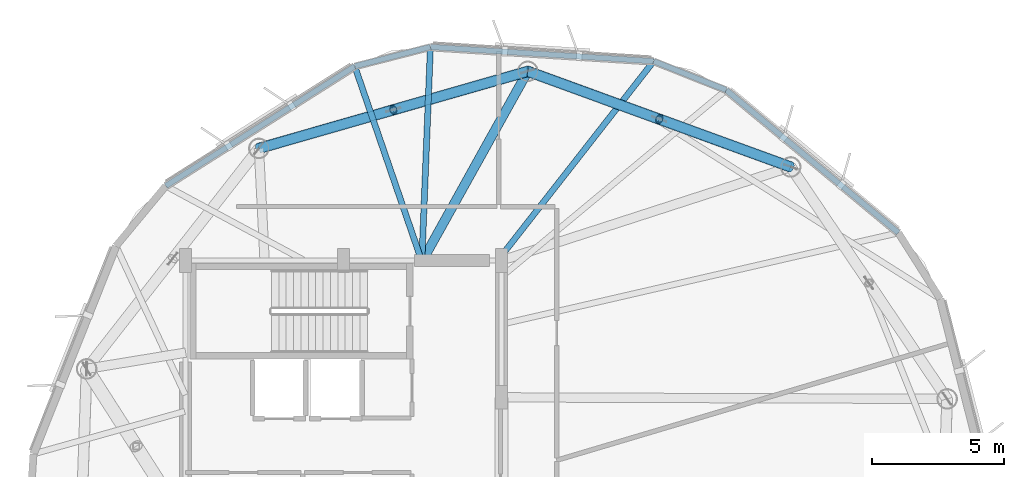
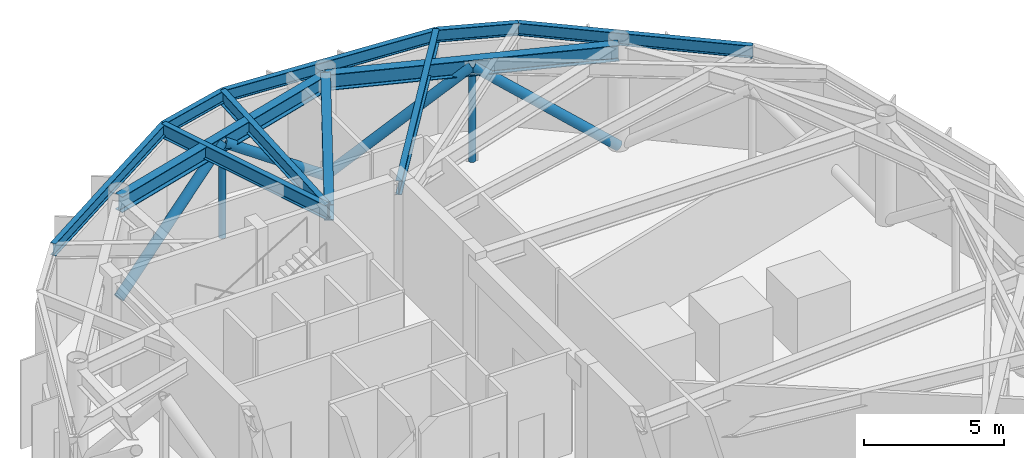
# One storey, part 5 of 14: 11 beams, 6 members.
"""IFC4 building model written with IfcOpenShell, lengths in metres."""

from ifc_helpers import new_model, si_unit, direction, frame, origin, origin_2d, place, context, subcontext, project, spatial, hollow_circle, i_section, extrude, material, material_profile, profile_set, type_object, element, save


model = new_model("IFC4")

# Units and contexts
model_context = context("Model", 3, precision=1e-05, world=origin(), true_north=direction((0.0, 1.0)))
body_context = subcontext(model_context, "Body", "Model", "MODEL_VIEW")
ifc_project = project(units=[si_unit("LENGTHUNIT", "METRE"), si_unit("AREAUNIT", "SQUARE_METRE"), si_unit("VOLUMEUNIT", "CUBIC_METRE"), si_unit("PLANEANGLEUNIT", "RADIAN"), si_unit("MASSUNIT", "GRAM", prefix="KILO")], contexts=[model_context])

# Site, building, storey
site_placement = place(None, origin())
site = spatial("IfcSite", under=ifc_project, at=site_placement, CompositionType="ELEMENT")
building_placement = place(site_placement, origin())
building = spatial("IfcBuilding", under=site, at=building_placement, Name="Soratama Intermodal Tower", CompositionType="ELEMENT")
storey_placement = place(building_placement, frame((0.0, 0.0, 283.75)))
storey = spatial("IfcBuildingStorey", under=building, at=storey_placement, Name="L72", CompositionType="ELEMENT", Elevation=283.75)

# Beams
ifc_material_1 = material(Name="Structural steel ASTM A992 Grade 50", Category="steel")
ifc_material_profile_1 = material_profile(ifc_material_1, i_section(OverallWidth=0.35498046875, OverallDepth=0.695068359375, WebThickness=0.015380859375, FlangeThickness=0.02490234375, FilletRadius=0.01611328125, at=origin_2d()), Name="W27X146")
ifc_profile_set_1 = profile_set([ifc_material_profile_1], Name="Structural steel ASTM A992 Grade 50")
beam_type_1 = type_object("IfcBeamType", Name="BM-RING-W27X146", PredefinedType="BEAM", material=ifc_profile_set_1)
for number, where, z_axis, x_axis, name in (
    (1, (55.589111328125, 38.553955078125, 4.152587890625), (-0.939684073866, 0.342043624883, 0.0), (-0.342043624883, -0.939684073866, 0.0), "BM-L72-RING-02"),
    (2, (45.60009765625, 42.18994140625, 4.152587890625), (-0.961238292127, -0.275718961532, 0.0), (0.275718961532, -0.961238292127, 0.0), "BM-L72-RING-03"),
):
    element("IfcBeam", number, at=place(storey_placement, frame(where, z_axis=z_axis, x_axis=x_axis)), inside=storey, type_object=beam_type_1, Name=name, PredefinedType="BEAM", context=body_context, shape_type="SweptSolid", body=[
        extrude(i_section(OverallWidth=0.35498046875, OverallDepth=0.695068359375, WebThickness=0.015380859375, FlangeThickness=0.02490234375, FilletRadius=0.01611328125, at=origin_2d()), origin(), (0.0, 0.0, 1.0), 10.630126953125),
    ])
beam_1_placement = place(storey_placement, frame((41.60009765625, 35.0, 4.152587890625), z_axis=(0.486161842523, 0.873868790423, 0.0), x_axis=(-0.873868790423, 0.486161842523, 0.0)))
element("IfcBeam", 3, at=beam_1_placement, inside=storey, type_object=beam_type_1, Name="BM-L72-RAD-03", PredefinedType="BEAM", context=body_context, shape_type="SweptSolid", body=[
    extrude(i_section(OverallWidth=0.35498046875, OverallDepth=0.695068359375, WebThickness=0.015380859375, FlangeThickness=0.02490234375, FilletRadius=0.01611328125, at=origin_2d()), origin(), (0.0, 0.0, 1.0), 8.227783203125),
])
ifc_material_2 = material(Name="Structural steel ASTM A992 Grade 50", Category="steel")
ifc_material_profile_2 = material_profile(ifc_material_2, i_section(OverallWidth=0.2099609375, OverallDepth=0.537109375, WebThickness=0.010986328125, FlangeThickness=0.017333984375, FilletRadius=0.012939453125, at=origin_2d()), Name="W21X68")
ifc_profile_set_2 = profile_set([ifc_material_profile_2], Name="Structural steel ASTM A992 Grade 50")
beam_type_2 = type_object("IfcBeamType", Name="BM-SPN-W21X68", PredefinedType="SPANDREL", material=ifc_profile_set_2)
beam_2_placement = place(storey_placement, frame((50.383056640625, 42.572021484375, 4.2314453125), z_axis=(-0.997957918563, 0.063874821161, 0.0), x_axis=(-0.063874821161, -0.997957918563, 0.0)))
element("IfcBeam", 4, at=beam_2_placement, inside=storey, type_object=beam_type_2, Name="BS-L72-F01", PredefinedType="SPANDREL", context=body_context, shape_type="SweptSolid", body=[
    extrude(i_section(OverallWidth=0.2099609375, OverallDepth=0.537109375, WebThickness=0.010986328125, FlangeThickness=0.017333984375, FilletRadius=0.012939453125, at=origin_2d()), origin(), (0.0, 0.0, 1.0), 8.50048828125),
])
beam_3_placement = place(storey_placement, frame((41.89990234375, 43.114990234375, 4.2314453125), z_axis=(-0.968811434978, -0.247799119157, 0.0), x_axis=(0.247799119157, -0.968811434978, 0.0)))
element("IfcBeam", 5, at=beam_3_placement, inside=storey, type_object=beam_type_2, Name="BS-L72-CRN01", PredefinedType="SPANDREL", context=body_context, shape_type="SweptSolid", body=[
    extrude(i_section(OverallWidth=0.2099609375, OverallDepth=0.537109375, WebThickness=0.010986328125, FlangeThickness=0.017333984375, FilletRadius=0.012939453125, at=origin_2d()), origin(), (0.0, 0.0, 1.0), 2.966552734375),
])
beam_4_placement = place(storey_placement, frame((39.02587890625, 42.3798828125, 4.2314453125), z_axis=(-0.84487403719, -0.534965289791, 0.0), x_axis=(0.534965289791, -0.84487403719, 0.0)))
element("IfcBeam", 6, at=beam_4_placement, inside=storey, type_object=beam_type_2, Name="BS-L72-F02", PredefinedType="SPANDREL", context=body_context, shape_type="SweptSolid", body=[
    extrude(i_section(OverallWidth=0.2099609375, OverallDepth=0.537109375, WebThickness=0.010986328125, FlangeThickness=0.017333984375, FilletRadius=0.012939453125, at=origin_2d()), origin(), (0.0, 0.0, 1.0), 8.499267578125),
])
beam_5_placement = place(storey_placement, frame((59.68310546875, 36.052001953125, 4.2314453125), z_axis=(-0.769817509883, 0.638264053099, 0.0), x_axis=(-0.638264053099, -0.769817509883, 0.0)))
element("IfcBeam", 7, at=beam_5_placement, inside=storey, type_object=beam_type_2, Name="BS-L72-F10", PredefinedType="SPANDREL", context=body_context, shape_type="SweptSolid", body=[
    extrude(i_section(OverallWidth=0.2099609375, OverallDepth=0.537109375, WebThickness=0.010986328125, FlangeThickness=0.017333984375, FilletRadius=0.012939453125, at=origin_2d()), origin(), (0.0, 0.0, 1.0), 8.499755859375),
])
beam_6_placement = place(storey_placement, frame((53.139892578125, 41.47705078125, 4.2314453125), z_axis=(-0.929376455068, 0.369133315708, 0.0), x_axis=(-0.369133315708, -0.929376455068, 0.0)))
element("IfcBeam", 8, at=beam_6_placement, inside=storey, type_object=beam_type_2, Name="BS-L72-CRN10", PredefinedType="SPANDREL", context=body_context, shape_type="SweptSolid", body=[
    extrude(i_section(OverallWidth=0.2099609375, OverallDepth=0.537109375, WebThickness=0.010986328125, FlangeThickness=0.017333984375, FilletRadius=0.012939453125, at=origin_2d()), origin(), (0.0, 0.0, 1.0), 2.96630859375),
])
ifc_material_3 = material(Name="Structural steel ASTM A992 Grade 50", Category="steel")
ifc_material_profile_3 = material_profile(ifc_material_3, i_section(OverallWidth=0.22900390625, OverallDepth=0.612060546875, WebThickness=0.011962890625, FlangeThickness=0.01953125, FilletRadius=0.012939453125, at=origin_2d()), Name="W24X84")
ifc_profile_set_3 = profile_set([ifc_material_profile_3], Name="Structural steel ASTM A992 Grade 50")
beam_type_3 = type_object("IfcBeamType", Name="BM-TIE-W24X84", PredefinedType="BEAM", material=ifc_profile_set_3)
beam_7_placement = place(storey_placement, frame((44.485107421875, 35.031982421875, 4.194091796875), z_axis=(0.616117070802, 0.787654591218, 0.0), x_axis=(-0.787654591218, 0.616117070802, 0.0)))
element("IfcBeam", 9, at=beam_7_placement, inside=storey, type_object=beam_type_3, Name="BM-L72-TIE0-01", PredefinedType="BEAM", context=body_context, shape_type="SweptSolid", body=[
    extrude(i_section(OverallWidth=0.22900390625, OverallDepth=0.612060546875, WebThickness=0.011962890625, FlangeThickness=0.01953125, FilletRadius=0.012939453125, at=origin_2d()), origin(), (0.0, 0.0, 1.0), 9.57275390625),
])
beam_8_placement = place(storey_placement, frame((41.576904296875, 35.0400390625, 4.194091796875), z_axis=(0.039968038349, 0.999200958722, 0.0), x_axis=(-0.999200958722, 0.039968038349, 0.0)))
element("IfcBeam", 10, at=beam_8_placement, inside=storey, type_object=beam_type_3, Name="BM-L72-TIE1-01", PredefinedType="BEAM", context=body_context, shape_type="SweptSolid", body=[
    extrude(i_section(OverallWidth=0.22900390625, OverallDepth=0.612060546875, WebThickness=0.011962890625, FlangeThickness=0.01953125, FilletRadius=0.012939453125, at=origin_2d()), origin(), (0.0, 0.0, 1.0), 8.081298828125),
])
beam_9_placement = place(storey_placement, frame((41.550048828125, 35.0380859375, 4.194091796875), z_axis=(-0.325128984451, 0.945669679893, 0.0), x_axis=(-0.945669679893, -0.325128984451, 0.0)))
element("IfcBeam", 11, at=beam_9_placement, inside=storey, type_object=beam_type_3, Name="BM-L72-TIE0-02", PredefinedType="BEAM", context=body_context, shape_type="SweptSolid", body=[
    extrude(i_section(OverallWidth=0.22900390625, OverallDepth=0.612060546875, WebThickness=0.011962890625, FlangeThickness=0.01953125, FilletRadius=0.012939453125, at=origin_2d()), origin(), (0.0, 0.0, 1.0), 7.763671875),
])

# Members
ifc_material_4 = material(Name="Structural steel ASTM A500 Grade C", Category="steel")
ifc_material_profile_4 = material_profile(ifc_material_4, hollow_circle(Radius=0.203125, WallThickness=0.01611328125, at=origin_2d()), Name="CHS406X16")
ifc_profile_set_4 = profile_set([ifc_material_profile_4], Name="Structural steel ASTM A500 Grade C")
member_type_1 = type_object("IfcMemberType", Name="MB-BLT-CHS406", PredefinedType="BRACE", material=ifc_profile_set_4)
for number, where, z_axis, x_axis, name in (
    (12, (55.58935546875, 38.5537109375, 0.010009765625), (-0.741170733379, 0.269760351977, 0.614731889919), (-0.342015963537, -0.939694142094, 0.0), "L72 Belt Truss Brace A 02"),
    (13, (45.600341796875, 42.189453125, 0.010009765625), (0.741154405592, -0.269767595642, 0.614748396837), (0.342030726507, 0.939688768755, 0.0), "L72 Belt Truss Brace B 02"),
    (14, (45.600341796875, 42.189453125, 0.010009765625), (-0.758178679667, -0.217378127682, 0.614745345085), (0.275606766412, -0.961270466782, 0.0), "L72 Belt Truss Brace A 03"),
):
    element("IfcMember", number, at=place(storey_placement, frame(where, z_axis=z_axis, x_axis=x_axis)), inside=storey, type_object=member_type_1, Name=name, PredefinedType="BRACE", context=body_context, shape_type="SweptSolid", body=[
        extrude(hollow_circle(Radius=0.203125, WallThickness=0.01611328125, at=origin_2d()), origin(), (0.0, 0.0, 1.0), 6.73876953125),
    ])
member_placement = place(storey_placement, frame((35.3818359375, 39.259521484375, 0.010009765625), z_axis=(0.758188111343, 0.217406673173, 0.614723617798), x_axis=(-0.275637040338, 0.9612617864, 0.0)))
element("IfcMember", 15, at=member_placement, inside=storey, type_object=member_type_1, Name="L72 Belt Truss Brace B 03", PredefinedType="BRACE", context=body_context, shape_type="SweptSolid", body=[
    extrude(hollow_circle(Radius=0.203125, WallThickness=0.01611328125, at=origin_2d()), origin(), (0.0, 0.0, 1.0), 6.739013671875),
])
ifc_material_5 = material(Name="Structural steel ASTM A500 Grade C", Category="steel")
ifc_material_profile_5 = material_profile(ifc_material_5, hollow_circle(Radius=0.136474609375, WallThickness=0.011962890625, at=origin_2d()), Name="CHS273X12")
ifc_profile_set_5 = profile_set([ifc_material_profile_5], Name="Structural steel ASTM A500 Grade C")
member_type_2 = type_object("IfcMemberType", Name="MB-TURB-CHS273", PredefinedType="BRACE", material=ifc_profile_set_5)
for number, where, z_axis, x_axis, name in (
    (16, (50.5947265625, 40.37158203125, 0.010009765625), (0.0, 0.0, 1.0), (1.0, 0.0, 0.0), "L72 Turbine Portal Post 02"),
    (17, (40.4912109375, 40.724609375, 0.010009765625), (0.0, 0.0, 1.0), (1.0, 0.0, 0.0), "L72 Turbine Portal Post 03"),
):
    element("IfcMember", number, at=place(storey_placement, frame(where, z_axis=z_axis, x_axis=x_axis)), inside=storey, type_object=member_type_2, Name=name, PredefinedType="BRACE", context=body_context, shape_type="SweptSolid", body=[
        extrude(hollow_circle(Radius=0.136474609375, WallThickness=0.011962890625, at=origin_2d()), origin(), (0.0, 0.0, 1.0), 4.142578125),
    ])

save(model, "model.ifc")
